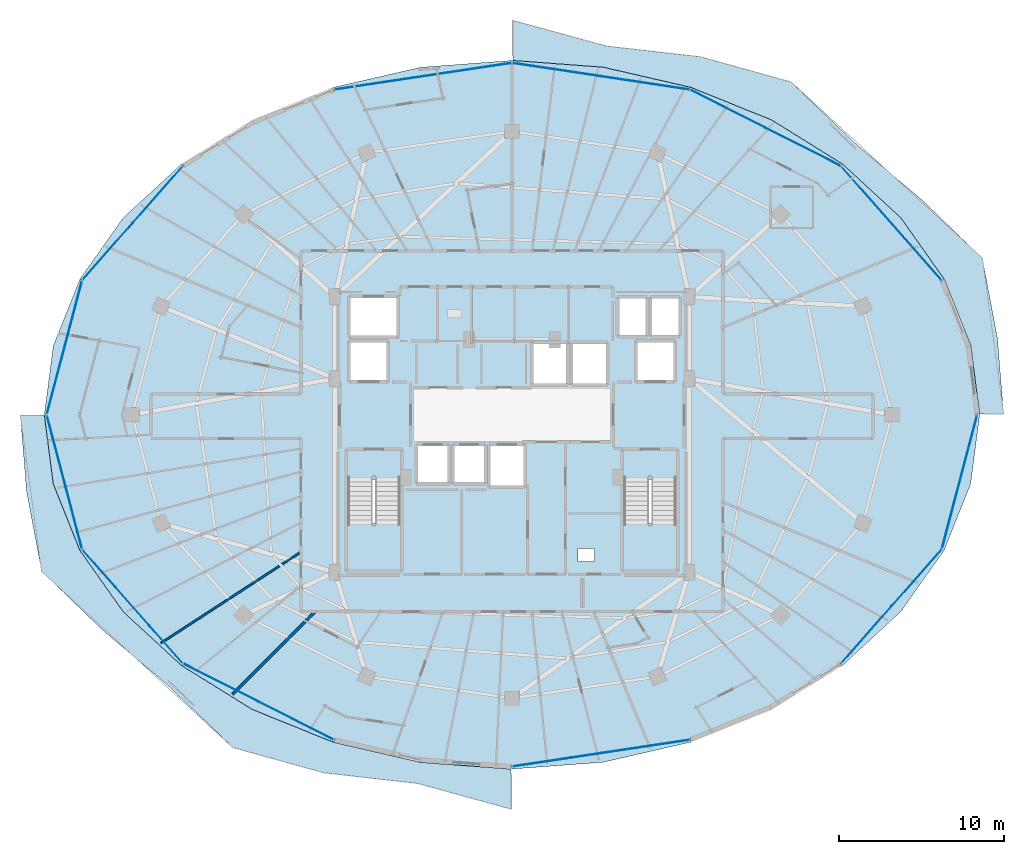
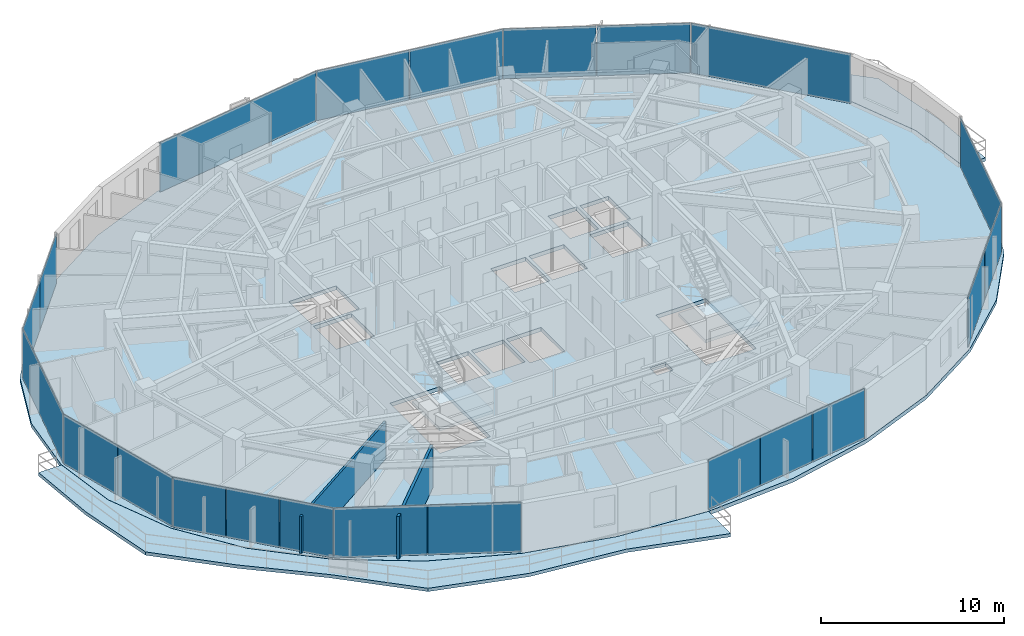
# One storey, part 23 of 33: 22 plates, 5 slabs, 2 walls, 6 elements without a shape of their own.
"""IFC4 building model written with IfcOpenShell, lengths in metres."""

from ifc_helpers import new_model, si_unit, direction, frame, frame_2d, origin, origin_2d, place, context, subcontext, project, spatial, polyline, rectangle, outline, extrude, material, layer, layer_set, type_object, element, aggregate, save


model = new_model("IFC4")

# Units and contexts
model_context = context("Model", 3, precision=1e-05, world=origin(), true_north=direction((0.0, 1.0)))
body_context = subcontext(model_context, "Body", "Model", "MODEL_VIEW")
ifc_project = project(units=[si_unit("LENGTHUNIT", "METRE"), si_unit("AREAUNIT", "SQUARE_METRE"), si_unit("VOLUMEUNIT", "CUBIC_METRE"), si_unit("PLANEANGLEUNIT", "RADIAN"), si_unit("MASSUNIT", "GRAM", prefix="KILO")], contexts=[model_context])

# Site, building, storey
site_placement = place(None, origin())
site = spatial("IfcSite", under=ifc_project, at=site_placement, CompositionType="ELEMENT")
building_placement = place(site_placement, origin())
building = spatial("IfcBuilding", under=site, at=building_placement, Name="Vorneva Point Tower", CompositionType="ELEMENT")
storey_placement = place(building_placement, frame((0.0, 0.0, 217.85009765625)))
storey = spatial("IfcBuildingStorey", under=building, at=storey_placement, Name="L59", CompositionType="ELEMENT", Elevation=217.85009765625)

# Curtain wall, plates
ifc_material_1 = material(Name="Pale anodised aluminium", Category="aluminium")
curtain_wall_type = type_object("IfcCurtainWallType", Name="CW-RES-SYS", PredefinedType="NOTDEFINED", material=ifc_material_1)
curtain_wall_1_placement = place(storey_placement, origin())
curtain_wall_1 = element("IfcCurtainWall", 1, at=curtain_wall_1_placement, inside=storey, type_object=curtain_wall_type, Name="L59 Unitised Curtain Wall CW-L59-R01", PredefinedType="NOTDEFINED")
ifc_material_2 = material(Name="Double low-e laminated glass IGU", Category="glass")
ifc_layer_1 = layer(ifc_material_2, 0.035888671875)
ifc_layer_set_1 = layer_set([ifc_layer_1], Name="Double low-e laminated glass IGU")
plate_type = type_object("IfcPlateType", Name="CW-PNL-VIS", PredefinedType="CURTAIN_PANEL", material=ifc_layer_set_1)
plate_1_placement = place(storey_placement, frame((61.021484375, 37.633544921875, -0.02001953125), z_axis=(0.0, 0.0, 1.0), x_axis=(-0.662110096764, 0.74940657841, 0.0)))
plate_1 = element("IfcPlate", 2, at=plate_1_placement, type_object=plate_type, Name="CW-L59-R01 Glazed Panel 01", PredefinedType="CURTAIN_PANEL", context=body_context, shape_type="SweptSolid", body=[
    extrude(rectangle(XDim=9.1923828125, YDim=0.035888671875, at=origin_2d()), origin(), (0.0, 0.0, 1.0), 3.330078125),
])
plate_2_placement = place(storey_placement, frame((55.672119140625, 42.253662109375, -0.02001953125), z_axis=(0.0, 0.0, 1.0), x_axis=(-0.892514983762, 0.451017742179, 0.0)))
plate_2 = element("IfcPlate", 3, at=plate_2_placement, type_object=plate_type, Name="CW-L59-R01 Glazed Panel 02A", PredefinedType="CURTAIN_PANEL", context=body_context, shape_type="SweptSolid", body=[
    extrude(rectangle(XDim=5.080810546875, YDim=0.035888671875, at=origin_2d()), origin(), (0.0, 0.0, 1.0), 3.330078125),
])
plate_3_placement = place(storey_placement, frame((51.0927734375, 44.56787109375, -0.02001953125), z_axis=(0.0, 0.0, 1.0), x_axis=(-0.892514983762, 0.451017742179, 0.0)))
plate_3 = element("IfcPlate", 4, at=plate_3_placement, type_object=plate_type, Name="CW-L59-R01 Glazed Panel 02B", PredefinedType="CURTAIN_PANEL", context=body_context, shape_type="SweptSolid", body=[
    extrude(rectangle(XDim=5.080810546875, YDim=0.035888671875, at=origin_2d()), origin(), (0.0, 0.0, 1.0), 3.330078125),
])
plate_4_placement = place(storey_placement, frame((46.102294921875, 46.131103515625, -0.02001953125), z_axis=(0.0, 0.0, 1.0), x_axis=(-0.988873520862, 0.148758729957, 0.0)))
plate_4 = element("IfcPlate", 5, at=plate_4_placement, type_object=plate_type, Name="CW-L59-R01 Glazed Panel 03A", PredefinedType="CURTAIN_PANEL", context=body_context, shape_type="SweptSolid", body=[
    extrude(rectangle(XDim=5.412353515625, YDim=0.035888671875, at=origin_2d()), origin(), (0.0, 0.0, 1.0), 3.330078125),
])
plate_5_placement = place(storey_placement, frame((40.70068359375, 46.943603515625, -0.02001953125), z_axis=(0.0, 0.0, 1.0), x_axis=(-0.988873520862, 0.148758729957, 0.0)))
plate_5 = element("IfcPlate", 6, at=plate_5_placement, type_object=plate_type, Name="CW-L59-R01 Glazed Panel 03B", PredefinedType="CURTAIN_PANEL", context=body_context, shape_type="SweptSolid", body=[
    extrude(rectangle(XDim=5.412353515625, YDim=0.035888671875, at=origin_2d()), origin(), (0.0, 0.0, 1.0), 3.330078125),
])
plate_6_placement = place(storey_placement, frame((32.598388671875, 46.537353515625, -0.02001953125), z_axis=(0.0, 0.0, 1.0), x_axis=(-0.988873520862, -0.148758729957, 0.0)))
plate_6 = element("IfcPlate", 7, at=plate_6_placement, type_object=plate_type, Name="CW-L59-R01 Glazed Panel 04", PredefinedType="CURTAIN_PANEL", context=body_context, shape_type="SweptSolid", body=[
    extrude(rectangle(XDim=10.874755859375, YDim=0.035888671875, at=origin_2d()), origin(), (0.0, 0.0, 1.0), 3.330078125),
])
aggregate(curtain_wall_1, [plate_1, plate_2, plate_3, plate_4, plate_5, plate_6])

curtain_wall_2_placement = place(storey_placement, origin())
curtain_wall_2 = element("IfcCurtainWall", 8, at=curtain_wall_2_placement, inside=storey, type_object=curtain_wall_type, Name="L59 Unitised Curtain Wall CW-L59-R02", PredefinedType="NOTDEFINED")
plate_7_placement = place(storey_placement, frame((16.508544921875, 39.364990234375, -0.02001953125), z_axis=(0.0, 0.0, 1.0), x_axis=(-0.662110096764, -0.74940657841, 0.0)))
plate_7 = element("IfcPlate", 9, at=plate_7_placement, type_object=plate_type, Name="CW-L59-R02 Glazed Panel 01A", PredefinedType="CURTAIN_PANEL", context=body_context, shape_type="SweptSolid", body=[
    extrude(rectangle(XDim=4.5712890625, YDim=0.035888671875, at=origin_2d()), origin(), (0.0, 0.0, 1.0), 3.330078125),
])
plate_8_placement = place(storey_placement, frame((13.44873046875, 35.90185546875, -0.02001953125), z_axis=(0.0, 0.0, 1.0), x_axis=(-0.662110096764, -0.74940657841, 0.0)))
plate_8 = element("IfcPlate", 10, at=plate_8_placement, type_object=plate_type, Name="CW-L59-R02 Glazed Panel 01B", PredefinedType="CURTAIN_PANEL", context=body_context, shape_type="SweptSolid", body=[
    extrude(rectangle(XDim=4.5712890625, YDim=0.035888671875, at=origin_2d()), origin(), (0.0, 0.0, 1.0), 3.330078125),
])
plate_9_placement = place(storey_placement, frame((10.844482421875, 30.085205078125, -0.02001953125), z_axis=(0.0, 0.0, 1.0), x_axis=(-0.254365646708, -0.967108121036, 0.0)))
plate_9 = element("IfcPlate", 11, at=plate_9_placement, type_object=plate_type, Name="CW-L59-R02 Glazed Panel 02", PredefinedType="CURTAIN_PANEL", context=body_context, shape_type="SweptSolid", body=[
    extrude(rectangle(XDim=8.398193359375, YDim=0.035888671875, at=origin_2d()), origin(), (0.0, 0.0, 1.0), 3.330078125),
])
plate_10_placement = place(storey_placement, frame((10.30712890625, 23.95751953125, -0.02001953125), z_axis=(0.0, 0.0, 1.0), x_axis=(0.254365646708, -0.967108121036, 0.0)))
plate_10 = element("IfcPlate", 12, at=plate_10_placement, type_object=plate_type, Name="CW-L59-R02 Glazed Panel 03A", PredefinedType="CURTAIN_PANEL", context=body_context, shape_type="SweptSolid", body=[
    extrude(rectangle(XDim=4.174072265625, YDim=0.035888671875, at=origin_2d()), origin(), (0.0, 0.0, 1.0), 3.330078125),
])
plate_11_placement = place(storey_placement, frame((11.381591796875, 19.872314453125, -0.02001953125), z_axis=(0.0, 0.0, 1.0), x_axis=(0.254365646708, -0.967108121036, 0.0)))
plate_11 = element("IfcPlate", 13, at=plate_11_placement, type_object=plate_type, Name="CW-L59-R02 Glazed Panel 03B", PredefinedType="CURTAIN_PANEL", context=body_context, shape_type="SweptSolid", body=[
    extrude(rectangle(XDim=4.174072265625, YDim=0.035888671875, at=origin_2d()), origin(), (0.0, 0.0, 1.0), 3.330078125),
])
plate_12_placement = place(storey_placement, frame((12.938720703125, 16.67529296875, -0.02001953125), z_axis=(0.0, 0.0, 1.0), x_axis=(0.662110096764, -0.74940657841, 0.0)))
plate_12 = element("IfcPlate", 14, at=plate_12_placement, type_object=plate_type, Name="CW-L59-R02 Glazed Panel 04A", PredefinedType="CURTAIN_PANEL", context=body_context, shape_type="SweptSolid", body=[
    extrude(rectangle(XDim=3.03076171875, YDim=0.035888671875, at=origin_2d()), origin(), (0.0, 0.0, 1.0), 3.330078125),
])
plate_13_placement = place(storey_placement, frame((14.978759765625, 14.366455078125, -0.02001953125), z_axis=(0.0, 0.0, 1.0), x_axis=(0.662110096764, -0.74940657841, 0.0)))
plate_13 = element("IfcPlate", 15, at=plate_13_placement, type_object=plate_type, Name="CW-L59-R02 Glazed Panel 04B", PredefinedType="CURTAIN_PANEL", context=body_context, shape_type="SweptSolid", body=[
    extrude(rectangle(XDim=3.03076171875, YDim=0.035888671875, at=origin_2d()), origin(), (0.0, 0.0, 1.0), 3.330078125),
])
plate_14_placement = place(storey_placement, frame((17.0185546875, 12.0576171875, -0.02001953125), z_axis=(0.0, 0.0, 1.0), x_axis=(0.662110096764, -0.74940657841, 0.0)))
plate_14 = element("IfcPlate", 16, at=plate_14_placement, type_object=plate_type, Name="CW-L59-R02 Glazed Panel 04C", PredefinedType="CURTAIN_PANEL", context=body_context, shape_type="SweptSolid", body=[
    extrude(rectangle(XDim=3.03076171875, YDim=0.035888671875, at=origin_2d()), origin(), (0.0, 0.0, 1.0), 3.330078125),
])
plate_15_placement = place(storey_placement, frame((20.327880859375, 9.746337890625, -0.02001953125), z_axis=(0.0, 0.0, 1.0), x_axis=(0.892514983762, -0.451017742179, 0.0)))
plate_15 = element("IfcPlate", 17, at=plate_15_placement, type_object=plate_type, Name="CW-L59-R02 Glazed Panel 05A", PredefinedType="CURTAIN_PANEL", context=body_context, shape_type="SweptSolid", body=[
    extrude(rectangle(XDim=5.080810546875, YDim=0.035888671875, at=origin_2d()), origin(), (0.0, 0.0, 1.0), 3.330078125),
])
plate_16_placement = place(storey_placement, frame((24.9072265625, 7.43212890625, -0.02001953125), z_axis=(0.0, 0.0, 1.0), x_axis=(0.892514983762, -0.451017742179, 0.0)))
plate_16 = element("IfcPlate", 18, at=plate_16_placement, type_object=plate_type, Name="CW-L59-R02 Glazed Panel 05B", PredefinedType="CURTAIN_PANEL", context=body_context, shape_type="SweptSolid", body=[
    extrude(rectangle(XDim=5.080810546875, YDim=0.035888671875, at=origin_2d()), origin(), (0.0, 0.0, 1.0), 3.330078125),
])
aggregate(curtain_wall_2, [plate_7, plate_8, plate_9, plate_10, plate_11, plate_12, plate_13, plate_14, plate_15, plate_16])

curtain_wall_3_placement = place(storey_placement, origin())
curtain_wall_3 = element("IfcCurtainWall", 19, at=curtain_wall_3_placement, inside=storey, type_object=curtain_wall_type, Name="L59 Unitised Curtain Wall CW-L59-R03", PredefinedType="NOTDEFINED")
plate_17_placement = place(storey_placement, frame((39.800537109375, 4.9208984375, -0.02001953125), z_axis=(0.0, 0.0, 1.0), x_axis=(0.988873520862, 0.148758729957, 0.0)))
plate_17 = element("IfcPlate", 20, at=plate_17_placement, type_object=plate_type, Name="CW-L59-R03 Glazed Panel 01A", PredefinedType="CURTAIN_PANEL", context=body_context, shape_type="SweptSolid", body=[
    extrude(rectangle(XDim=3.591552734375, YDim=0.035888671875, at=origin_2d()), origin(), (0.0, 0.0, 1.0), 3.330078125),
])
plate_18_placement = place(storey_placement, frame((43.401611328125, 5.462646484375, -0.02001953125), z_axis=(0.0, 0.0, 1.0), x_axis=(0.988873520862, 0.148758729957, 0.0)))
plate_18 = element("IfcPlate", 21, at=plate_18_placement, type_object=plate_type, Name="CW-L59-R03 Glazed Panel 01B", PredefinedType="CURTAIN_PANEL", context=body_context, shape_type="SweptSolid", body=[
    extrude(rectangle(XDim=3.591552734375, YDim=0.035888671875, at=origin_2d()), origin(), (0.0, 0.0, 1.0), 3.330078125),
])
plate_19_placement = place(storey_placement, frame((47.002685546875, 6.00439453125, -0.02001953125), z_axis=(0.0, 0.0, 1.0), x_axis=(0.988873520862, 0.148758729957, 0.0)))
plate_19 = element("IfcPlate", 22, at=plate_19_placement, type_object=plate_type, Name="CW-L59-R03 Glazed Panel 01C", PredefinedType="CURTAIN_PANEL", context=body_context, shape_type="SweptSolid", body=[
    extrude(rectangle(XDim=3.591552734375, YDim=0.035888671875, at=origin_2d()), origin(), (0.0, 0.0, 1.0), 3.330078125),
])
aggregate(curtain_wall_3, [plate_17, plate_18, plate_19])

curtain_wall_4_placement = place(storey_placement, origin())
curtain_wall_4 = element("IfcCurtainWall", 23, at=curtain_wall_4_placement, inside=storey, type_object=curtain_wall_type, Name="L59 Unitised Curtain Wall CW-L59-R04", PredefinedType="NOTDEFINED")
plate_20_placement = place(storey_placement, frame((59.491455078125, 12.635009765625, -0.02001953125), z_axis=(0.0, 0.0, 1.0), x_axis=(0.662110096764, 0.74940657841, 0.0)))
plate_20 = element("IfcPlate", 24, at=plate_20_placement, type_object=plate_type, Name="CW-L59-R04 Glazed Panel 01A", PredefinedType="CURTAIN_PANEL", context=body_context, shape_type="SweptSolid", body=[
    extrude(rectangle(XDim=4.5712890625, YDim=0.035888671875, at=origin_2d()), origin(), (0.0, 0.0, 1.0), 3.330078125),
])
plate_21_placement = place(storey_placement, frame((62.55126953125, 16.09814453125, -0.02001953125), z_axis=(0.0, 0.0, 1.0), x_axis=(0.662110096764, 0.74940657841, 0.0)))
plate_21 = element("IfcPlate", 25, at=plate_21_placement, type_object=plate_type, Name="CW-L59-R04 Glazed Panel 01B", PredefinedType="CURTAIN_PANEL", context=body_context, shape_type="SweptSolid", body=[
    extrude(rectangle(XDim=4.5712890625, YDim=0.035888671875, at=origin_2d()), origin(), (0.0, 0.0, 1.0), 3.330078125),
])
plate_22_placement = place(storey_placement, frame((65.155517578125, 21.914794921875, -0.02001953125), z_axis=(0.0, 0.0, 1.0), x_axis=(0.254365646708, 0.967108121036, 0.0)))
plate_22 = element("IfcPlate", 26, at=plate_22_placement, type_object=plate_type, Name="CW-L59-R04 Glazed Panel 02", PredefinedType="CURTAIN_PANEL", context=body_context, shape_type="SweptSolid", body=[
    extrude(rectangle(XDim=8.398193359375, YDim=0.035888671875, at=origin_2d()), origin(), (0.0, 0.0, 1.0), 3.330078125),
])
aggregate(curtain_wall_4, [plate_20, plate_21, plate_22])

# Slabs
ifc_material_3 = material(Name="Concrete B50 (C40/50)", Category="concrete")
ifc_layer_2 = layer(ifc_material_3, 0.219970703125)
ifc_layer_set_2 = layer_set([ifc_layer_2], Name="Concrete B50 (C40/50)")
slab_type_1 = type_object("IfcSlabType", Name="SLB-BAL-220", PredefinedType="FLOOR", material=ifc_layer_set_2)
slab_1_placement = place(storey_placement, frame((0.0, 0.0, -0.22021484375)))
element("IfcSlab", 27, at=slab_1_placement, inside=storey, type_object=slab_type_1, Name="L59 Cantilevered Wave Balcony NE", PredefinedType="FLOOR", context=body_context, shape_type="SweptSolid", body=[
    extrude(outline(polyline([(38.050048828125, 49.931396484375), (38.050048828125, 47.500244140625), (43.537109375, 47.0908203125), (43.537353515625, 47.0908203125), (43.53759765625, 47.0908203125), (48.861572265625, 45.8671875), (48.86181640625, 45.8671875), (48.862060546875, 45.8671875), (53.7685546875, 43.88037109375), (53.768798828125, 43.880126953125), (53.769287109375, 43.8798828125), (58.06982421875, 41.206298828125), (58.070068359375, 41.2060546875), (58.0703125, 41.205810546875), (61.599853515625, 37.94775390625), (61.60009765625, 37.947509765625), (61.600341796875, 37.947021484375), (64.222900390625, 34.22998046875), (64.22314453125, 34.2294921875), (64.223388671875, 34.229248046875), (65.83837890625, 30.19580078125), (65.83837890625, 30.195556640625), (65.838623046875, 30.1953125), (65.838623046875, 30.19482421875), (66.37744140625, 26.050048828125), (67.8310546875, 26.050048828125), (67.461669921875, 30.62158203125), (66.544921875, 35.4990234375), (62.858642578125, 39.057373046875), (58.9462890625, 42.362548828125), (54.939697265625, 46.193359375), (49.4443359375, 47.72412109375), (43.73095703125, 48.37548828125), (38.050048828125, 49.931396484375)])), origin(), (0.0, 0.0, 1.0), 0.22021484375),
])
slab_2_placement = place(storey_placement, frame((0.0, 0.0, -0.22021484375)))
element("IfcSlab", 28, at=slab_2_placement, inside=storey, type_object=slab_type_1, Name="L59 Cantilevered Wave Balcony SW", PredefinedType="FLOOR", context=body_context, shape_type="SweptSolid", body=[
    extrude(outline(polyline([(37.949951171875, 2.068603515625), (37.949951171875, 4.499755859375), (32.462890625, 4.9091796875), (32.462646484375, 4.9091796875), (32.46240234375, 4.9091796875), (27.138427734375, 6.1328125), (27.13818359375, 6.1328125), (27.137939453125, 6.1328125), (22.2314453125, 8.11962890625), (22.231201171875, 8.119873046875), (22.230712890625, 8.1201171875), (17.93017578125, 10.793701171875), (17.929931640625, 10.7939453125), (17.9296875, 10.794189453125), (14.400146484375, 14.05224609375), (14.39990234375, 14.052490234375), (14.399658203125, 14.052978515625), (11.777099609375, 17.77001953125), (11.77685546875, 17.7705078125), (11.776611328125, 17.770751953125), (10.16162109375, 21.80419921875), (10.16162109375, 21.804443359375), (10.161376953125, 21.8046875), (10.161376953125, 21.80517578125), (9.62255859375, 25.949951171875), (8.1689453125, 25.949951171875), (8.538330078125, 21.37841796875), (9.455078125, 16.5009765625), (13.141357421875, 12.942626953125), (17.0537109375, 9.637451171875), (21.060302734375, 5.806640625), (26.5556640625, 4.27587890625), (32.26904296875, 3.62451171875), (37.949951171875, 2.068603515625)])), origin(), (0.0, 0.0, 1.0), 0.22021484375),
])

# Stair, slab
stair_type = type_object("IfcStairType", Name="ST-DOG-1500", PredefinedType="HALF_TURN_STAIR", material=ifc_material_3)
stair_1_placement = place(storey_placement, origin())
stair_1 = element("IfcStair", 29, at=stair_1_placement, inside=storey, type_object=stair_type, Name="L59 ST1", PredefinedType="HALF_TURN_STAIR")
ifc_layer_3 = layer(ifc_material_3, 0.199951171875)
ifc_layer_set_3 = layer_set([ifc_layer_3], Name="Concrete B50 (C40/50)")
slab_type_2 = type_object("IfcSlabType", Name="SLB-LND-200", PredefinedType="LANDING", material=ifc_layer_set_3)
slab_3_placement = place(storey_placement, frame((0.0, 0.0, 1.574951171875)))
slab_3 = element("IfcSlab", 30, at=slab_3_placement, type_object=slab_type_2, Name="ST1 landing 1", PredefinedType="LANDING", context=body_context, shape_type="SweptSolid", body=[
    extrude(outline(polyline([(27.929931640625, 16.47998046875), (31.320068359375, 16.47998046875), (31.320068359375, 19.43994140625), (27.929931640625, 19.43994140625), (27.929931640625, 16.47998046875)])), origin(), (0.0, 0.0, 1.0), 0.199951171875),
])
aggregate(stair_1, [slab_3])

stair_2_placement = place(storey_placement, origin())
stair_2 = element("IfcStair", 31, at=stair_2_placement, inside=storey, type_object=stair_type, Name="L59 ST2", PredefinedType="HALF_TURN_STAIR")
slab_4_placement = place(storey_placement, frame((0.0, 0.0, 1.574951171875)))
slab_4 = element("IfcSlab", 32, at=slab_4_placement, type_object=slab_type_2, Name="ST2 landing 1", PredefinedType="LANDING", context=body_context, shape_type="SweptSolid", body=[
    extrude(outline(polyline([(44.679931640625, 16.47998046875), (48.070068359375, 16.47998046875), (48.070068359375, 19.43994140625), (44.679931640625, 19.43994140625), (44.679931640625, 16.47998046875)])), origin(), (0.0, 0.0, 1.0), 0.199951171875),
])
aggregate(stair_2, [slab_4])

# Slab
ifc_layer_4 = layer(ifc_material_3, 0.260009765625)
ifc_layer_set_4 = layer_set([ifc_layer_4], Name="Concrete B50 (C40/50)")
slab_type_3 = type_object("IfcSlabType", Name="SLB-TYP-260", PredefinedType="FLOOR", material=ifc_layer_set_4)
slab_5_placement = place(storey_placement, frame((0.0, 0.0, -0.260009765625)))
element("IfcSlab", 33, at=slab_5_placement, inside=storey, type_object=slab_type_3, Name="L59 Structural Floor Plate", PredefinedType="FLOOR", context=body_context, shape_type="SweptSolid", body=[
    extrude(outline(polyline([(66.3798828125, 26.0), (65.834716796875, 30.1943359375), (64.2197265625, 34.227783203125), (61.59716796875, 37.94482421875), (58.067626953125, 41.202880859375), (53.76708984375, 43.876708984375), (48.860595703125, 45.86328125), (43.53662109375, 47.0869140625), (38.0, 47.5), (32.46337890625, 47.0869140625), (27.139404296875, 45.86328125), (22.23291015625, 43.876708984375), (17.932373046875, 41.202880859375), (14.40283203125, 37.94482421875), (11.7802734375, 34.227783203125), (10.165283203125, 30.1943359375), (9.6201171875, 26.0), (10.165283203125, 21.8056640625), (11.7802734375, 17.772216796875), (14.40283203125, 14.05517578125), (17.932373046875, 10.797119140625), (22.23291015625, 8.123291015625), (27.139404296875, 6.13671875), (32.46337890625, 4.9130859375), (38.0, 4.5), (43.53662109375, 4.9130859375), (48.860595703125, 6.13671875), (53.76708984375, 8.123291015625), (58.067626953125, 10.797119140625), (61.59716796875, 14.05517578125), (64.2197265625, 17.772216796875), (65.834716796875, 21.8056640625), (66.3798828125, 26.0)]), holes=[polyline([(32.199951171875, 21.800048828125), (34.199951171875, 21.800048828125), (34.199951171875, 24.199951171875), (32.199951171875, 24.199951171875), (32.199951171875, 21.800048828125)]), polyline([(34.39990234375, 21.800048828125), (36.39990234375, 21.800048828125), (36.39990234375, 24.199951171875), (34.39990234375, 24.199951171875), (34.39990234375, 21.800048828125)]), polyline([(36.60009765625, 21.60009765625), (38.800048828125, 21.60009765625), (38.800048828125, 24.199951171875), (36.60009765625, 24.199951171875), (36.60009765625, 21.60009765625)]), polyline([(39.199951171875, 27.800048828125), (41.39990234375, 27.800048828125), (41.39990234375, 30.39990234375), (39.199951171875, 30.39990234375), (39.199951171875, 27.800048828125)]), polyline([(41.60009765625, 27.800048828125), (43.800048828125, 27.800048828125), (43.800048828125, 30.39990234375), (41.60009765625, 30.39990234375), (41.60009765625, 27.800048828125)]), polyline([(44.39990234375, 30.739990234375), (46.199951171875, 30.739990234375), (46.199951171875, 33.159912109375), (44.39990234375, 33.159912109375), (44.39990234375, 30.739990234375)]), polyline([(46.39990234375, 30.739990234375), (48.199951171875, 30.739990234375), (48.199951171875, 33.159912109375), (46.39990234375, 33.159912109375), (46.39990234375, 30.739990234375)]), polyline([(28.10009765625, 28.0), (30.5, 28.0), (30.5, 30.5), (28.10009765625, 30.5), (28.10009765625, 28.0)]), polyline([(45.5, 28.0), (47.89990234375, 28.0), (47.89990234375, 30.5), (45.5, 30.5), (45.5, 28.0)]), polyline([(28.10009765625, 30.699951171875), (31.10009765625, 30.699951171875), (31.10009765625, 33.199951171875), (28.10009765625, 33.199951171875), (28.10009765625, 30.699951171875)]), polyline([(28.050048828125, 16.60009765625), (31.199951171875, 16.60009765625), (31.199951171875, 22.080078125), (28.050048828125, 22.080078125), (28.050048828125, 16.60009765625)]), polyline([(44.800048828125, 16.60009765625), (47.949951171875, 16.60009765625), (47.949951171875, 22.080078125), (44.800048828125, 22.080078125), (44.800048828125, 16.60009765625)]), polyline([(42.0, 17.10009765625), (43.0, 17.10009765625), (43.0, 17.89990234375), (42.0, 17.89990234375), (42.0, 17.10009765625)])]), origin(), (0.0, 0.0, 1.0), 0.260009765625),
])

# Walls
ifc_material_4 = material(Name="Fire-rated acoustic gypsum stud partition", Category="gypsum")
ifc_layer_5 = layer(ifc_material_4, 0.125)
ifc_layer_set_5 = layer_set([ifc_layer_5], Name="Fire-rated acoustic gypsum stud partition")
wall_type_1 = type_object("IfcWallType", Name="WL-PART-125", PredefinedType="PARTITIONING", material=ifc_layer_set_5)
wall_1_placement = place(storey_placement, frame((16.696044921875, 12.14306640625, 0.0), z_axis=(0.0, 0.0, 1.0), x_axis=(0.83828742398, 0.545228571149, 0.0)))
element("IfcWall", 34, at=wall_1_placement, inside=storey, type_object=wall_type_1, Name="L59 Interior Partition 136", PredefinedType="PARTITIONING", context=body_context, shape_type="SweptSolid", body=[
    extrude(rectangle(XDim=10.144287109375, YDim=0.125, at=frame_2d((5.072265625, 0.0))), origin(), (0.0, 0.0, 1.0), 2.48193359375),
])
ifc_layer_6 = layer(ifc_material_4, 0.159912109375)
ifc_layer_set_6 = layer_set([ifc_layer_6], Name="Fire-rated acoustic gypsum stud partition")
wall_type_2 = type_object("IfcWallType", Name="WL-PART-160", PredefinedType="PARTITIONING", material=ifc_layer_set_6)
wall_2_placement = place(storey_placement, frame((21.041015625, 9.041015625, 0.0), z_axis=(0.0, 0.0, 1.0), x_axis=(0.707106781187, 0.707106781187, 0.0)))
element("IfcWall", 35, at=wall_2_placement, inside=storey, type_object=wall_type_2, Name="L59 Interior Partition 138", PredefinedType="PARTITIONING", context=body_context, shape_type="SweptSolid", body=[
    extrude(rectangle(XDim=7.083740234375, YDim=0.159912109375, at=frame_2d((3.5419921875, 0.0))), origin(), (0.0, 0.0, 1.0), 2.823974609375),
])

save(model, "model.ifc")
